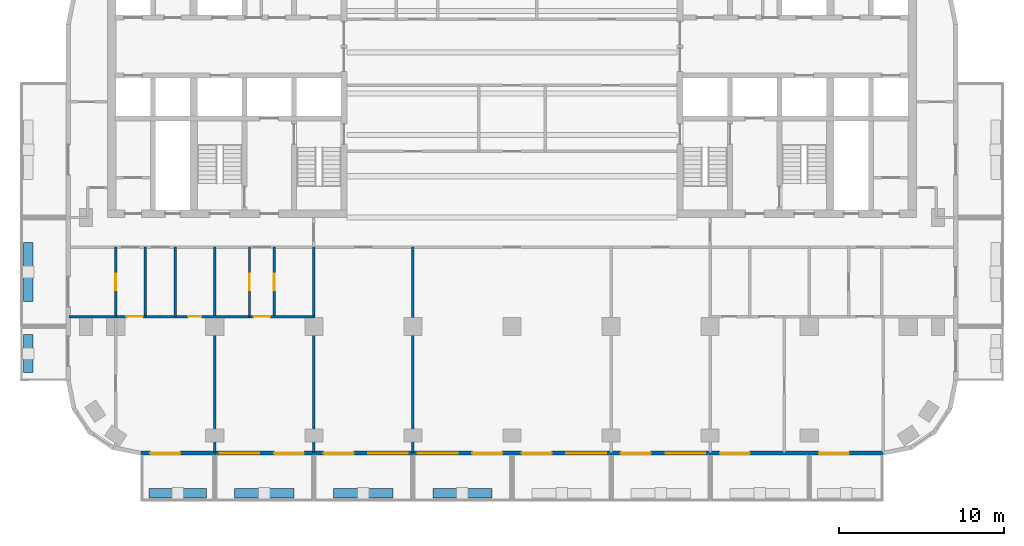
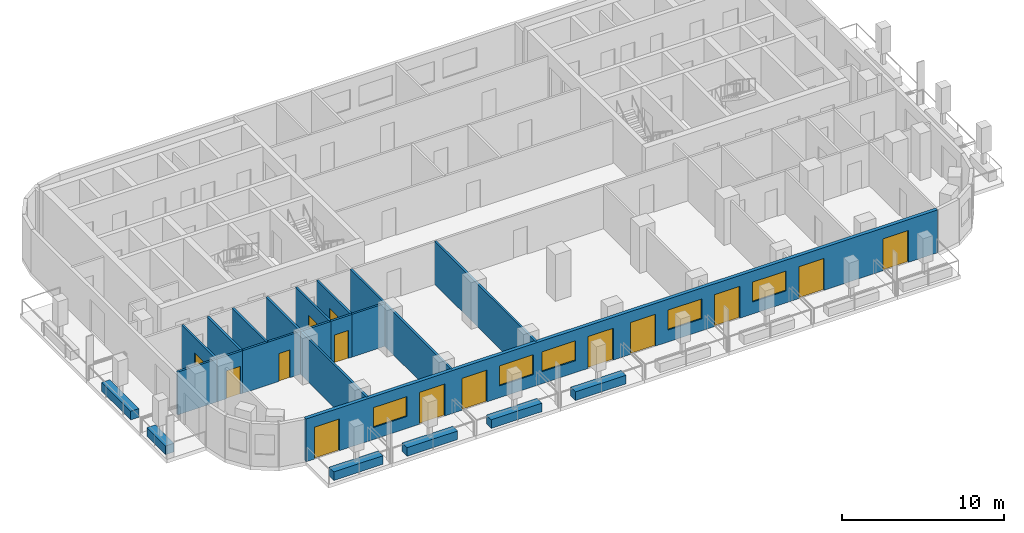
# One storey, part 2 of 11: 20 walls, 14 doors, 5 windows, 19 openings.
"""IFC4 building model written with IfcOpenShell, lengths in metres."""

from ifc_helpers import new_model, si_unit, direction, frame, frame_2d, origin, place, context, subcontext, project, spatial, rectangle, extrude, material, layer, layer_set, type_object, element, fill, save


model = new_model("IFC4")

# Units and contexts
model_context = context("Model", 3, precision=1e-05, world=origin(), true_north=direction((0.0, 1.0)))
body_context = subcontext(model_context, "Body", "Model", "MODEL_VIEW")
ifc_project = project(units=[si_unit("LENGTHUNIT", "METRE"), si_unit("AREAUNIT", "SQUARE_METRE"), si_unit("VOLUMEUNIT", "CUBIC_METRE"), si_unit("PLANEANGLEUNIT", "RADIAN"), si_unit("MASSUNIT", "GRAM", prefix="KILO")], contexts=[model_context])

# Site, building, storey
site_placement = place(None, origin())
site = spatial("IfcSite", under=ifc_project, at=site_placement, CompositionType="ELEMENT")
building_placement = place(site_placement, origin())
building = spatial("IfcBuilding", under=site, at=building_placement, Name="Torana Hotel and Residences", CompositionType="ELEMENT")
storey_placement = place(building_placement, frame((0.0, 0.0, 218.60009765625)))
storey = spatial("IfcBuildingStorey", under=building, at=storey_placement, Name="L57", CompositionType="ELEMENT", Elevation=218.60009765625)

# Wall, openings, doors, windows
ifc_material_1 = material(Name="Black aluminium composite panel", Category="aluminium")
ifc_layer_1 = layer(ifc_material_1, 0.00390625, Name="Cladding", Category="cladding")
ifc_material_2 = material(Name="Ventilated air cavity")
ifc_layer_2 = layer(ifc_material_2, 0.0400390625, Name="Ventilated cavity", Category="cavity")
ifc_material_3 = material(Name="Mineral wool insulation")
ifc_layer_3 = layer(ifc_material_3, 0.090087890625, Name="Insulation", Category="insulation")
ifc_material_4 = material(Name="Steel S280GD", Category="steel")
ifc_layer_4 = layer(ifc_material_4, 0.092041015625, Name="Steel stud frame", Category="structure")
ifc_material_5 = material(Name="Fire rated plasterboard")
ifc_layer_5 = layer(ifc_material_5, 0.011962890625, Name="Inner board", Category="finish")
ifc_layer_6 = layer(ifc_material_5, 0.011962890625, Name="Second board", Category="finish")
ifc_layer_set_1 = layer_set([ifc_layer_1, ifc_layer_2, ifc_layer_3, ifc_layer_4, ifc_layer_5, ifc_layer_6], Name="EW1 EXTERNAL WALL BLACK METAL CLAD 250")
wall_type_1 = type_object("IfcWallType", Name="EW1 EXTERNAL WALL BLACK METAL CLAD 250", PredefinedType="SOLIDWALL", material=ifc_layer_set_1)
wall_1_placement = place(storey_placement, frame((-22.475341796875, -29.27490234375, 0.0), z_axis=(0.0, 0.0, 1.0), x_axis=(1.0, 0.0, 0.0)))
wall_1 = element("IfcWall", 1, at=wall_1_placement, inside=storey, type_object=wall_type_1, Name="External wall L57 e0.14", PredefinedType="SOLIDWALL", context=body_context, shape_type="SweptSolid", body=[
    extrude(rectangle(XDim=44.95068359375, YDim=0.25, at=frame_2d((22.475341796875, 0.0))), origin(), (0.0, 0.0, 1.0), 3.219970703125),
])
opening_1_placement = place(wall_1_placement, frame((0.575439453125, 0.0, 0.0)))
opening_1 = element("IfcOpeningElement", 2, at=opening_1_placement, cuts=wall_1, Name="Opening L57-E01", PredefinedType="OPENING", context=body_context, shape_type="SweptSolid", body=[
    extrude(rectangle(XDim=1.800048828125, YDim=2.39990234375, at=frame_2d((0.89990234375, 1.199951171875))), frame((0.0, 0.135009765625, 0.0), z_axis=(0.0, -1.0, 0.0), x_axis=(1.0, 0.0, 0.0)), (0.0, 0.0, 1.0), 0.27001953125),
])
opening_2_placement = place(wall_1_placement, frame((4.775390625, 0.0, 0.89990234375)))
opening_2 = element("IfcOpeningElement", 3, at=opening_2_placement, cuts=wall_1, Name="Opening W3", PredefinedType="OPENING", context=body_context, shape_type="SweptSolid", body=[
    extrude(rectangle(XDim=2.39990234375, YDim=1.5, at=frame_2d((1.199951171875, 0.75))), frame((0.0, 0.135009765625, 0.0), z_axis=(0.0, -1.0, 0.0), x_axis=(1.0, 0.0, 0.0)), (0.0, 0.0, 1.0), 0.27001953125),
])
opening_3_placement = place(wall_1_placement, frame((8.075439453125, 0.0, 0.0)))
opening_3 = element("IfcOpeningElement", 4, at=opening_3_placement, cuts=wall_1, Name="Opening L57-E02", PredefinedType="OPENING", context=body_context, shape_type="SweptSolid", body=[
    extrude(rectangle(XDim=1.800048828125, YDim=2.39990234375, at=frame_2d((0.89990234375, 1.199951171875))), frame((0.0, 0.135009765625, 0.0), z_axis=(0.0, -1.0, 0.0), x_axis=(1.0, 0.0, 0.0)), (0.0, 0.0, 1.0), 0.27001953125),
])
opening_4_placement = place(wall_1_placement, frame((11.075439453125, 0.0, 0.0)))
opening_4 = element("IfcOpeningElement", 5, at=opening_4_placement, cuts=wall_1, Name="Opening L57-E03", PredefinedType="OPENING", context=body_context, shape_type="SweptSolid", body=[
    extrude(rectangle(XDim=1.800048828125, YDim=2.39990234375, at=frame_2d((0.89990234375, 1.199951171875))), frame((0.0, 0.135009765625, 0.0), z_axis=(0.0, -1.0, 0.0), x_axis=(1.0, 0.0, 0.0)), (0.0, 0.0, 1.0), 0.27001953125),
])
opening_5_placement = place(wall_1_placement, frame((13.775390625, 0.0, 0.89990234375)))
opening_5 = element("IfcOpeningElement", 6, at=opening_5_placement, cuts=wall_1, Name="Opening W3", PredefinedType="OPENING", context=body_context, shape_type="SweptSolid", body=[
    extrude(rectangle(XDim=2.39990234375, YDim=1.5, at=frame_2d((1.199951171875, 0.75))), frame((0.0, 0.135009765625, 0.0), z_axis=(0.0, -1.0, 0.0), x_axis=(1.0, 0.0, 0.0)), (0.0, 0.0, 1.0), 0.27001953125),
])
opening_6_placement = place(wall_1_placement, frame((16.775390625, 0.0, 0.89990234375)))
opening_6 = element("IfcOpeningElement", 7, at=opening_6_placement, cuts=wall_1, Name="Opening W3", PredefinedType="OPENING", context=body_context, shape_type="SweptSolid", body=[
    extrude(rectangle(XDim=2.39990234375, YDim=1.5, at=frame_2d((1.199951171875, 0.75))), frame((0.0, 0.135009765625, 0.0), z_axis=(0.0, -1.0, 0.0), x_axis=(1.0, 0.0, 0.0)), (0.0, 0.0, 1.0), 0.27001953125),
])
opening_7_placement = place(wall_1_placement, frame((20.075439453125, 0.0, 0.0)))
opening_7 = element("IfcOpeningElement", 8, at=opening_7_placement, cuts=wall_1, Name="Opening L57-E04", PredefinedType="OPENING", context=body_context, shape_type="SweptSolid", body=[
    extrude(rectangle(XDim=1.800048828125, YDim=2.39990234375, at=frame_2d((0.89990234375, 1.199951171875))), frame((0.0, 0.135009765625, 0.0), z_axis=(0.0, -1.0, 0.0), x_axis=(1.0, 0.0, 0.0)), (0.0, 0.0, 1.0), 0.27001953125),
])
opening_8_placement = place(wall_1_placement, frame((23.075439453125, 0.0, 0.0)))
opening_8 = element("IfcOpeningElement", 9, at=opening_8_placement, cuts=wall_1, Name="Opening L57-E05", PredefinedType="OPENING", context=body_context, shape_type="SweptSolid", body=[
    extrude(rectangle(XDim=1.800048828125, YDim=2.39990234375, at=frame_2d((0.89990234375, 1.199951171875))), frame((0.0, 0.135009765625, 0.0), z_axis=(0.0, -1.0, 0.0), x_axis=(1.0, 0.0, 0.0)), (0.0, 0.0, 1.0), 0.27001953125),
])
opening_9_placement = place(wall_1_placement, frame((25.775390625, 0.0, 0.89990234375)))
opening_9 = element("IfcOpeningElement", 10, at=opening_9_placement, cuts=wall_1, Name="Opening W3", PredefinedType="OPENING", context=body_context, shape_type="SweptSolid", body=[
    extrude(rectangle(XDim=2.39990234375, YDim=1.5, at=frame_2d((1.199951171875, 0.75))), frame((0.0, 0.135009765625, 0.0), z_axis=(0.0, -1.0, 0.0), x_axis=(1.0, 0.0, 0.0)), (0.0, 0.0, 1.0), 0.27001953125),
])
opening_10_placement = place(wall_1_placement, frame((29.075439453125, 0.0, 0.0)))
opening_10 = element("IfcOpeningElement", 11, at=opening_10_placement, cuts=wall_1, Name="Opening L57-E06", PredefinedType="OPENING", context=body_context, shape_type="SweptSolid", body=[
    extrude(rectangle(XDim=1.800048828125, YDim=2.39990234375, at=frame_2d((0.89990234375, 1.199951171875))), frame((0.0, 0.135009765625, 0.0), z_axis=(0.0, -1.0, 0.0), x_axis=(1.0, 0.0, 0.0)), (0.0, 0.0, 1.0), 0.27001953125),
])
opening_11_placement = place(wall_1_placement, frame((31.775390625, 0.0, 0.89990234375)))
opening_11 = element("IfcOpeningElement", 12, at=opening_11_placement, cuts=wall_1, Name="Opening W3", PredefinedType="OPENING", context=body_context, shape_type="SweptSolid", body=[
    extrude(rectangle(XDim=2.39990234375, YDim=1.5, at=frame_2d((1.199951171875, 0.75))), frame((0.0, 0.135009765625, 0.0), z_axis=(0.0, -1.0, 0.0), x_axis=(1.0, 0.0, 0.0)), (0.0, 0.0, 1.0), 0.27001953125),
])
opening_12_placement = place(wall_1_placement, frame((35.075439453125, 0.0, 0.0)))
opening_12 = element("IfcOpeningElement", 13, at=opening_12_placement, cuts=wall_1, Name="Opening L57-E07", PredefinedType="OPENING", context=body_context, shape_type="SweptSolid", body=[
    extrude(rectangle(XDim=1.800048828125, YDim=2.39990234375, at=frame_2d((0.89990234375, 1.199951171875))), frame((0.0, 0.135009765625, 0.0), z_axis=(0.0, -1.0, 0.0), x_axis=(1.0, 0.0, 0.0)), (0.0, 0.0, 1.0), 0.27001953125),
])
opening_13_placement = place(wall_1_placement, frame((41.075439453125, 0.0, 0.0)))
opening_13 = element("IfcOpeningElement", 14, at=opening_13_placement, cuts=wall_1, Name="Opening L57-E08", PredefinedType="OPENING", context=body_context, shape_type="SweptSolid", body=[
    extrude(rectangle(XDim=1.800048828125, YDim=2.39990234375, at=frame_2d((0.89990234375, 1.199951171875))), frame((0.0, 0.135009765625, 0.0), z_axis=(0.0, -1.0, 0.0), x_axis=(1.0, 0.0, 0.0)), (0.0, 0.0, 1.0), 0.27001953125),
])
ifc_material_6 = material(Name="Dark glass in black aluminium frame", Category="aluminium")
door_type_1 = type_object("IfcDoorType", Name="DB1 BALCONY DOOR 1800x2400", OperationType="DOUBLE_DOOR_SINGLE_SWING", PredefinedType="DOOR", material=ifc_material_6)
door_1_placement = place(opening_1_placement, origin())
door_1 = element("IfcDoor", 15, at=door_1_placement, inside=storey, type_object=door_type_1, Name="Balcony door L57", OperationType="DOUBLE_DOOR_SINGLE_SWING", OverallHeight=2.39990234375, OverallWidth=1.800048828125, PredefinedType="DOOR", context=body_context, shape_type="SweptSolid", body=[
    extrude(rectangle(XDim=1.800048828125, YDim=2.39990234375, at=frame_2d((0.89990234375, 1.199951171875))), frame((0.0, 0.02490234375, 0.0), z_axis=(0.0, -1.0, 0.0), x_axis=(1.0, 0.0, 0.0)), (0.0, 0.0, 1.0), 0.050048828125),
])
fill(opening_1, door_1)
door_2_placement = place(opening_3_placement, origin())
door_2 = element("IfcDoor", 16, at=door_2_placement, inside=storey, type_object=door_type_1, Name="Balcony door L57", OperationType="DOUBLE_DOOR_SINGLE_SWING", OverallHeight=2.39990234375, OverallWidth=1.800048828125, PredefinedType="DOOR", context=body_context, shape_type="SweptSolid", body=[
    extrude(rectangle(XDim=1.800048828125, YDim=2.39990234375, at=frame_2d((0.89990234375, 1.199951171875))), frame((0.0, 0.02490234375, 0.0), z_axis=(0.0, -1.0, 0.0), x_axis=(1.0, 0.0, 0.0)), (0.0, 0.0, 1.0), 0.050048828125),
])
fill(opening_3, door_2)
door_3_placement = place(opening_4_placement, origin())
door_3 = element("IfcDoor", 17, at=door_3_placement, inside=storey, type_object=door_type_1, Name="Balcony door L57", OperationType="DOUBLE_DOOR_SINGLE_SWING", OverallHeight=2.39990234375, OverallWidth=1.800048828125, PredefinedType="DOOR", context=body_context, shape_type="SweptSolid", body=[
    extrude(rectangle(XDim=1.800048828125, YDim=2.39990234375, at=frame_2d((0.89990234375, 1.199951171875))), frame((0.0, 0.02490234375, 0.0), z_axis=(0.0, -1.0, 0.0), x_axis=(1.0, 0.0, 0.0)), (0.0, 0.0, 1.0), 0.050048828125),
])
fill(opening_4, door_3)
door_4_placement = place(opening_7_placement, origin())
door_4 = element("IfcDoor", 18, at=door_4_placement, inside=storey, type_object=door_type_1, Name="Balcony door L57", OperationType="DOUBLE_DOOR_SINGLE_SWING", OverallHeight=2.39990234375, OverallWidth=1.800048828125, PredefinedType="DOOR", context=body_context, shape_type="SweptSolid", body=[
    extrude(rectangle(XDim=1.800048828125, YDim=2.39990234375, at=frame_2d((0.89990234375, 1.199951171875))), frame((0.0, 0.02490234375, 0.0), z_axis=(0.0, -1.0, 0.0), x_axis=(1.0, 0.0, 0.0)), (0.0, 0.0, 1.0), 0.050048828125),
])
fill(opening_7, door_4)
door_5_placement = place(opening_8_placement, origin())
door_5 = element("IfcDoor", 19, at=door_5_placement, inside=storey, type_object=door_type_1, Name="Balcony door L57", OperationType="DOUBLE_DOOR_SINGLE_SWING", OverallHeight=2.39990234375, OverallWidth=1.800048828125, PredefinedType="DOOR", context=body_context, shape_type="SweptSolid", body=[
    extrude(rectangle(XDim=1.800048828125, YDim=2.39990234375, at=frame_2d((0.89990234375, 1.199951171875))), frame((0.0, 0.02490234375, 0.0), z_axis=(0.0, -1.0, 0.0), x_axis=(1.0, 0.0, 0.0)), (0.0, 0.0, 1.0), 0.050048828125),
])
fill(opening_8, door_5)
door_6_placement = place(opening_10_placement, origin())
door_6 = element("IfcDoor", 20, at=door_6_placement, inside=storey, type_object=door_type_1, Name="Balcony door L57", OperationType="DOUBLE_DOOR_SINGLE_SWING", OverallHeight=2.39990234375, OverallWidth=1.800048828125, PredefinedType="DOOR", context=body_context, shape_type="SweptSolid", body=[
    extrude(rectangle(XDim=1.800048828125, YDim=2.39990234375, at=frame_2d((0.89990234375, 1.199951171875))), frame((0.0, 0.02490234375, 0.0), z_axis=(0.0, -1.0, 0.0), x_axis=(1.0, 0.0, 0.0)), (0.0, 0.0, 1.0), 0.050048828125),
])
fill(opening_10, door_6)
door_7_placement = place(opening_12_placement, origin())
door_7 = element("IfcDoor", 21, at=door_7_placement, inside=storey, type_object=door_type_1, Name="Balcony door L57", OperationType="DOUBLE_DOOR_SINGLE_SWING", OverallHeight=2.39990234375, OverallWidth=1.800048828125, PredefinedType="DOOR", context=body_context, shape_type="SweptSolid", body=[
    extrude(rectangle(XDim=1.800048828125, YDim=2.39990234375, at=frame_2d((0.89990234375, 1.199951171875))), frame((0.0, 0.02490234375, 0.0), z_axis=(0.0, -1.0, 0.0), x_axis=(1.0, 0.0, 0.0)), (0.0, 0.0, 1.0), 0.050048828125),
])
fill(opening_12, door_7)
door_8_placement = place(opening_13_placement, origin())
door_8 = element("IfcDoor", 22, at=door_8_placement, inside=storey, type_object=door_type_1, Name="Balcony door L57", OperationType="DOUBLE_DOOR_SINGLE_SWING", OverallHeight=2.39990234375, OverallWidth=1.800048828125, PredefinedType="DOOR", context=body_context, shape_type="SweptSolid", body=[
    extrude(rectangle(XDim=1.800048828125, YDim=2.39990234375, at=frame_2d((0.89990234375, 1.199951171875))), frame((0.0, 0.02490234375, 0.0), z_axis=(0.0, -1.0, 0.0), x_axis=(1.0, 0.0, 0.0)), (0.0, 0.0, 1.0), 0.050048828125),
])
fill(opening_13, door_8)
ifc_material_7 = material(Name="Dark glass in black aluminium frame", Category="aluminium")
window_type = type_object("IfcWindowType", Name="W3 RESIDENCE WINDOW 2400x1500", PartitioningType="SINGLE_PANEL", PredefinedType="WINDOW", material=ifc_material_7)
window_1_placement = place(opening_2_placement, origin())
window_1 = element("IfcWindow", 23, at=window_1_placement, inside=storey, type_object=window_type, Name="Window L57", OverallHeight=1.5, OverallWidth=2.39990234375, PartitioningType="SINGLE_PANEL", PredefinedType="WINDOW", context=body_context, shape_type="SweptSolid", body=[
    extrude(rectangle(XDim=2.39990234375, YDim=1.5, at=frame_2d((1.199951171875, 0.75))), frame((0.0, 0.030029296875, 0.0), z_axis=(0.0, -1.0, 0.0), x_axis=(1.0, 0.0, 0.0)), (0.0, 0.0, 1.0), 0.06005859375),
])
fill(opening_2, window_1)
window_2_placement = place(opening_5_placement, origin())
window_2 = element("IfcWindow", 24, at=window_2_placement, inside=storey, type_object=window_type, Name="Window L57", OverallHeight=1.5, OverallWidth=2.39990234375, PartitioningType="SINGLE_PANEL", PredefinedType="WINDOW", context=body_context, shape_type="SweptSolid", body=[
    extrude(rectangle(XDim=2.39990234375, YDim=1.5, at=frame_2d((1.199951171875, 0.75))), frame((0.0, 0.030029296875, 0.0), z_axis=(0.0, -1.0, 0.0), x_axis=(1.0, 0.0, 0.0)), (0.0, 0.0, 1.0), 0.06005859375),
])
fill(opening_5, window_2)
window_3_placement = place(opening_6_placement, origin())
window_3 = element("IfcWindow", 25, at=window_3_placement, inside=storey, type_object=window_type, Name="Window L57", OverallHeight=1.5, OverallWidth=2.39990234375, PartitioningType="SINGLE_PANEL", PredefinedType="WINDOW", context=body_context, shape_type="SweptSolid", body=[
    extrude(rectangle(XDim=2.39990234375, YDim=1.5, at=frame_2d((1.199951171875, 0.75))), frame((0.0, 0.030029296875, 0.0), z_axis=(0.0, -1.0, 0.0), x_axis=(1.0, 0.0, 0.0)), (0.0, 0.0, 1.0), 0.06005859375),
])
fill(opening_6, window_3)
window_4_placement = place(opening_9_placement, origin())
window_4 = element("IfcWindow", 26, at=window_4_placement, inside=storey, type_object=window_type, Name="Window L57", OverallHeight=1.5, OverallWidth=2.39990234375, PartitioningType="SINGLE_PANEL", PredefinedType="WINDOW", context=body_context, shape_type="SweptSolid", body=[
    extrude(rectangle(XDim=2.39990234375, YDim=1.5, at=frame_2d((1.199951171875, 0.75))), frame((0.0, 0.030029296875, 0.0), z_axis=(0.0, -1.0, 0.0), x_axis=(1.0, 0.0, 0.0)), (0.0, 0.0, 1.0), 0.06005859375),
])
fill(opening_9, window_4)
window_5_placement = place(opening_11_placement, origin())
window_5 = element("IfcWindow", 27, at=window_5_placement, inside=storey, type_object=window_type, Name="Window L57", OverallHeight=1.5, OverallWidth=2.39990234375, PartitioningType="SINGLE_PANEL", PredefinedType="WINDOW", context=body_context, shape_type="SweptSolid", body=[
    extrude(rectangle(XDim=2.39990234375, YDim=1.5, at=frame_2d((1.199951171875, 0.75))), frame((0.0, 0.030029296875, 0.0), z_axis=(0.0, -1.0, 0.0), x_axis=(1.0, 0.0, 0.0)), (0.0, 0.0, 1.0), 0.06005859375),
])
fill(opening_11, window_5)

# Wall, opening, door
ifc_material_8 = material(Name="Gypsum plaster")
ifc_layer_7 = layer(ifc_material_8, 0.014892578125, Name="Plaster", Category="finish")
ifc_material_9 = material(Name="Concrete blockwork", Category="masonry")
ifc_layer_8 = layer(ifc_material_9, 0.1201171875, Name="Blockwork", Category="structure")
ifc_layer_9 = layer(ifc_material_8, 0.014892578125, Name="Plaster", Category="finish")
ifc_layer_set_2 = layer_set([ifc_layer_7, ifc_layer_8, ifc_layer_9], Name="FIRE PARTITION 150 BLOCKWORK")
wall_type_2 = type_object("IfcWallType", Name="FIRE PARTITION 150 BLOCKWORK", PredefinedType="PARTITIONING", material=ifc_layer_set_2)
wall_2_placement = place(storey_placement, frame((-14.39990234375, -21.0, 0.0), z_axis=(0.0, 0.0, 1.0), x_axis=(0.0, 1.0, 0.0)))
wall_2 = element("IfcWall", 28, at=wall_2_placement, inside=storey, type_object=wall_type_2, Name="Partition L57", PredefinedType="PARTITIONING", context=body_context, shape_type="SweptSolid", body=[
    extrude(rectangle(XDim=4.199951171875, YDim=0.14990234375, at=frame_2d((2.10009765625, 0.0))), origin(), (0.0, 0.0, 1.0), 3.219970703125),
])
opening_14_placement = place(wall_2_placement, frame((1.60009765625, 0.0, 0.0)))
opening_14 = element("IfcOpeningElement", 29, at=opening_14_placement, cuts=wall_2, Name="Opening L57-52", PredefinedType="OPENING", context=body_context, shape_type="SweptSolid", body=[
    extrude(rectangle(XDim=1.0, YDim=2.10009765625, at=frame_2d((0.5, 1.050048828125))), frame((0.0, 0.0849609375, 0.0), z_axis=(0.0, -1.0, 0.0), x_axis=(1.0, 0.0, 0.0)), (0.0, 0.0, 1.0), 0.169921875),
])
ifc_material_10 = material(Name="Steel S235", Category="steel")
door_type_2 = type_object("IfcDoorType", Name="ENTRY FIRE DOOR D6 1000x2100", OperationType="SINGLE_SWING_LEFT", PredefinedType="DOOR", material=ifc_material_10)
door_9_placement = place(opening_14_placement, frame((0.5, 0.0, 0.0), z_axis=(0.0, 0.0, 1.0), x_axis=(-1.0, 0.0, 0.0)))
door_9 = element("IfcDoor", 30, at=door_9_placement, inside=storey, type_object=door_type_2, Name="Door L57", OperationType="SINGLE_SWING_LEFT", OverallHeight=2.10009765625, OverallWidth=1.0, PredefinedType="DOOR", context=body_context, shape_type="SweptSolid", body=[
    extrude(rectangle(XDim=1.0, YDim=2.10009765625, at=frame_2d((0.0, 1.050048828125))), frame((0.0, -0.02490234375, 0.0), z_axis=(0.0, 1.0, 0.0), x_axis=(-1.0, 0.0, 0.0)), (0.0, 0.0, 1.0), 0.050048828125),
])
fill(opening_14, door_9)

wall_3_placement = place(storey_placement, frame((-15.89990234375, -21.0, 0.0), z_axis=(0.0, 0.0, 1.0), x_axis=(0.0, 1.0, 0.0)))
wall_3 = element("IfcWall", 31, at=wall_3_placement, inside=storey, type_object=wall_type_2, Name="Partition L57", PredefinedType="PARTITIONING", context=body_context, shape_type="SweptSolid", body=[
    extrude(rectangle(XDim=4.199951171875, YDim=0.14990234375, at=frame_2d((2.10009765625, 0.0))), origin(), (0.0, 0.0, 1.0), 3.219970703125),
])
opening_15_placement = place(wall_3_placement, frame((1.60009765625, 0.0, 0.0)))
opening_15 = element("IfcOpeningElement", 32, at=opening_15_placement, cuts=wall_3, Name="Opening L57-51", PredefinedType="OPENING", context=body_context, shape_type="SweptSolid", body=[
    extrude(rectangle(XDim=1.0, YDim=2.10009765625, at=frame_2d((0.5, 1.050048828125))), frame((0.0, 0.0849609375, 0.0), z_axis=(0.0, -1.0, 0.0), x_axis=(1.0, 0.0, 0.0)), (0.0, 0.0, 1.0), 0.169921875),
])
door_10_placement = place(opening_15_placement, origin())
door_10 = element("IfcDoor", 33, at=door_10_placement, inside=storey, type_object=door_type_2, Name="Door L57", OperationType="SINGLE_SWING_RIGHT", OverallHeight=2.10009765625, OverallWidth=1.0, PredefinedType="DOOR", context=body_context, shape_type="SweptSolid", body=[
    extrude(rectangle(XDim=1.0, YDim=2.10009765625, at=frame_2d((0.5, 1.050048828125))), frame((0.0, 0.02490234375, 0.0), z_axis=(0.0, -1.0, 0.0), x_axis=(1.0, 0.0, 0.0)), (0.0, 0.0, 1.0), 0.050048828125),
])
fill(opening_15, door_10)

# Wall
wall_4_placement = place(storey_placement, frame((-22.199951171875, -21.0, 0.0), z_axis=(0.0, 0.0, 1.0), x_axis=(0.0, 1.0, 0.0)))
element("IfcWall", 34, at=wall_4_placement, inside=storey, type_object=wall_type_2, Name="Partition L57", PredefinedType="PARTITIONING", context=body_context, shape_type="SweptSolid", body=[
    extrude(rectangle(XDim=4.199951171875, YDim=0.14990234375, at=frame_2d((2.10009765625, 0.0))), origin(), (0.0, 0.0, 1.0), 3.219970703125),
])

# Wall, opening, door
wall_5_placement = place(storey_placement, frame((-24.0, -21.0, 0.0), z_axis=(0.0, 0.0, 1.0), x_axis=(0.0, 1.0, 0.0)))
wall_5 = element("IfcWall", 35, at=wall_5_placement, inside=storey, type_object=wall_type_2, Name="Partition L57", PredefinedType="PARTITIONING", context=body_context, shape_type="SweptSolid", body=[
    extrude(rectangle(XDim=4.199951171875, YDim=0.14990234375, at=frame_2d((2.10009765625, 0.0))), origin(), (0.0, 0.0, 1.0), 3.219970703125),
])
opening_16_placement = place(wall_5_placement, frame((1.580078125, 0.0, 0.0)))
opening_16 = element("IfcOpeningElement", 36, at=opening_16_placement, cuts=wall_5, Name="Opening L57-55", PredefinedType="OPENING", context=body_context, shape_type="SweptSolid", body=[
    extrude(rectangle(XDim=1.0, YDim=2.10009765625, at=frame_2d((0.5, 1.050048828125))), frame((0.0, 0.0849609375, 0.0), z_axis=(0.0, -1.0, 0.0), x_axis=(1.0, 0.0, 0.0)), (0.0, 0.0, 1.0), 0.169921875),
])
door_11_placement = place(opening_16_placement, origin())
door_11 = element("IfcDoor", 37, at=door_11_placement, inside=storey, type_object=door_type_2, Name="Door L57", OperationType="SINGLE_SWING_RIGHT", OverallHeight=2.10009765625, OverallWidth=1.0, PredefinedType="DOOR", context=body_context, shape_type="SweptSolid", body=[
    extrude(rectangle(XDim=1.0, YDim=2.10009765625, at=frame_2d((0.5, 1.050048828125))), frame((0.0, 0.02490234375, 0.0), z_axis=(0.0, -1.0, 0.0), x_axis=(1.0, 0.0, 0.0)), (0.0, 0.0, 1.0), 0.050048828125),
])
fill(opening_16, door_11)

wall_6_placement = place(storey_placement, frame((-24.0, -21.0, 0.0), z_axis=(0.0, 0.0, 1.0), x_axis=(1.0, 0.0, 0.0)))
wall_6 = element("IfcWall", 38, at=wall_6_placement, inside=storey, type_object=wall_type_2, Name="Partition L57", PredefinedType="PARTITIONING", context=body_context, shape_type="SweptSolid", body=[
    extrude(rectangle(XDim=1.800048828125, YDim=0.14990234375, at=frame_2d((0.89990234375, 0.0))), origin(), (0.0, 0.0, 1.0), 3.219970703125),
])
opening_17_placement = place(wall_6_placement, frame((0.64990234375, 0.0, 0.0)))
opening_17 = element("IfcOpeningElement", 39, at=opening_17_placement, cuts=wall_6, Name="Opening L57-56", PredefinedType="OPENING", context=body_context, shape_type="SweptSolid", body=[
    extrude(rectangle(XDim=1.0, YDim=2.10009765625, at=frame_2d((0.5, 1.050048828125))), frame((0.0, 0.0849609375, 0.0), z_axis=(0.0, -1.0, 0.0), x_axis=(1.0, 0.0, 0.0)), (0.0, 0.0, 1.0), 0.169921875),
])
door_12_placement = place(opening_17_placement, frame((0.5, 0.0, 0.0), z_axis=(0.0, 0.0, 1.0), x_axis=(-1.0, 0.0, 0.0)))
door_12 = element("IfcDoor", 40, at=door_12_placement, inside=storey, type_object=door_type_2, Name="Door L57", OperationType="SINGLE_SWING_LEFT", OverallHeight=2.10009765625, OverallWidth=1.0, PredefinedType="DOOR", context=body_context, shape_type="SweptSolid", body=[
    extrude(rectangle(XDim=1.0, YDim=2.10009765625, at=frame_2d((0.0, 1.050048828125))), frame((0.0, -0.02490234375, 0.0), z_axis=(0.0, 1.0, 0.0), x_axis=(-1.0, 0.0, 0.0)), (0.0, 0.0, 1.0), 0.050048828125),
])
fill(opening_17, door_12)

wall_7_placement = place(storey_placement, frame((-15.89990234375, -21.0, 0.0), z_axis=(0.0, 0.0, 1.0), x_axis=(1.0, 0.0, 0.0)))
wall_7 = element("IfcWall", 41, at=wall_7_placement, inside=storey, type_object=wall_type_2, Name="Partition L57", PredefinedType="PARTITIONING", context=body_context, shape_type="SweptSolid", body=[
    extrude(rectangle(XDim=1.5, YDim=0.14990234375, at=frame_2d((0.75, 0.0))), origin(), (0.0, 0.0, 1.0), 3.219970703125),
])
opening_18_placement = place(wall_7_placement, frame((0.25, 0.0, 0.0)))
opening_18 = element("IfcOpeningElement", 42, at=opening_18_placement, cuts=wall_7, Name="Opening L57-53", PredefinedType="OPENING", context=body_context, shape_type="SweptSolid", body=[
    extrude(rectangle(XDim=1.0, YDim=2.10009765625, at=frame_2d((0.5, 1.050048828125))), frame((0.0, 0.0849609375, 0.0), z_axis=(0.0, -1.0, 0.0), x_axis=(1.0, 0.0, 0.0)), (0.0, 0.0, 1.0), 0.169921875),
])
door_13_placement = place(opening_18_placement, frame((0.5, 0.0, 0.0), z_axis=(0.0, 0.0, 1.0), x_axis=(-1.0, 0.0, 0.0)))
door_13 = element("IfcDoor", 43, at=door_13_placement, inside=storey, type_object=door_type_2, Name="Door L57", OperationType="SINGLE_SWING_LEFT", OverallHeight=2.10009765625, OverallWidth=1.0, PredefinedType="DOOR", context=body_context, shape_type="SweptSolid", body=[
    extrude(rectangle(XDim=1.0, YDim=2.10009765625, at=frame_2d((0.0, 1.050048828125))), frame((0.0, -0.02490234375, 0.0), z_axis=(0.0, 1.0, 0.0), x_axis=(-1.0, 0.0, 0.0)), (0.0, 0.0, 1.0), 0.050048828125),
])
fill(opening_18, door_13)

# Walls
ifc_material_11 = material(Name="Gypsum plasterboard")
ifc_layer_10 = layer(ifc_material_11, 0.012451171875, Name="Plasterboard", Category="finish")
ifc_layer_11 = layer(ifc_material_11, 0.012451171875, Name="Plasterboard", Category="finish")
ifc_layer_12 = layer(ifc_material_4, 0.10009765625, Name="Steel studs with mineral wool", Category="insulation")
ifc_layer_13 = layer(ifc_material_11, 0.012451171875, Name="Plasterboard", Category="finish")
ifc_layer_14 = layer(ifc_material_11, 0.012451171875, Name="Plasterboard", Category="finish")
ifc_layer_set_3 = layer_set([ifc_layer_10, ifc_layer_11, ifc_layer_12, ifc_layer_13, ifc_layer_14], Name="PARTITION 150 PLASTERBOARD")
wall_type_3 = type_object("IfcWallType", Name="PARTITION 150 PLASTERBOARD", PredefinedType="PARTITIONING", material=ifc_layer_set_3)
for number, where, z_axis, x_axis, name in (
    (44, (-6.0, -29.219970703125, 0.0), (0.0, 0.0, 1.0), (0.0, 1.0, 0.0), "Partition L57"),
    (45, (-12.0, -29.219970703125, 0.0), (0.0, 0.0, 1.0), (0.0, 1.0, 0.0), "Partition L57"),
    (46, (-18.0, -29.219970703125, 0.0), (0.0, 0.0, 1.0), (0.0, 1.0, 0.0), "Partition L57"),
):
    element("IfcWall", number, at=place(storey_placement, frame(where, z_axis=z_axis, x_axis=x_axis)), inside=storey, type_object=wall_type_3, Name=name, PredefinedType="PARTITIONING", context=body_context, shape_type="SweptSolid", body=[
        extrude(rectangle(XDim=12.419921875, YDim=0.14990234375, at=frame_2d((6.2099609375, 0.0))), origin(), (0.0, 0.0, 1.0), 3.219970703125),
    ])
wall_8_placement = place(storey_placement, frame((-20.39990234375, -21.0, 0.0), z_axis=(0.0, 0.0, 1.0), x_axis=(0.0, 1.0, 0.0)))
element("IfcWall", 47, at=wall_8_placement, inside=storey, type_object=wall_type_3, Name="Partition L57", PredefinedType="PARTITIONING", context=body_context, shape_type="SweptSolid", body=[
    extrude(rectangle(XDim=4.199951171875, YDim=0.14990234375, at=frame_2d((2.10009765625, 0.0))), origin(), (0.0, 0.0, 1.0), 3.219970703125),
])
wall_9_placement = place(storey_placement, frame((-26.820068359375, -21.0, 0.0), z_axis=(0.0, 0.0, 1.0), x_axis=(1.0, 0.0, 0.0)))
element("IfcWall", 48, at=wall_9_placement, inside=storey, type_object=wall_type_3, Name="Partition L57", PredefinedType="PARTITIONING", context=body_context, shape_type="SweptSolid", body=[
    extrude(rectangle(XDim=2.820068359375, YDim=0.14990234375, at=frame_2d((1.41015625, 0.0))), origin(), (0.0, 0.0, 1.0), 3.219970703125),
])

# Wall, opening, door
wall_10_placement = place(storey_placement, frame((-22.199951171875, -21.0, 0.0), z_axis=(0.0, 0.0, 1.0), x_axis=(1.0, 0.0, 0.0)))
wall_10 = element("IfcWall", 49, at=wall_10_placement, inside=storey, type_object=wall_type_3, Name="Partition L57", PredefinedType="PARTITIONING", context=body_context, shape_type="SweptSolid", body=[
    extrude(rectangle(XDim=6.300048828125, YDim=0.14990234375, at=frame_2d((3.14990234375, 0.0))), origin(), (0.0, 0.0, 1.0), 3.219970703125),
])
opening_19_placement = place(wall_10_placement, frame((2.580078125, 0.0, 0.0)))
opening_19 = element("IfcOpeningElement", 50, at=opening_19_placement, cuts=wall_10, Name="Opening L57-54", PredefinedType="OPENING", context=body_context, shape_type="SweptSolid", body=[
    extrude(rectangle(XDim=0.800048828125, YDim=2.10009765625, at=frame_2d((0.39990234375, 1.050048828125))), frame((0.0, 0.0849609375, 0.0), z_axis=(0.0, -1.0, 0.0), x_axis=(1.0, 0.0, 0.0)), (0.0, 0.0, 1.0), 0.169921875),
])
ifc_material_12 = material(Name="Timber door, painted", Category="wood")
door_type_3 = type_object("IfcDoorType", Name="BATH DOOR D13 800x2100", OperationType="SINGLE_SWING_LEFT", PredefinedType="DOOR", material=ifc_material_12)
door_14_placement = place(opening_19_placement, origin())
door_14 = element("IfcDoor", 51, at=door_14_placement, inside=storey, type_object=door_type_3, Name="Door L57", OperationType="SINGLE_SWING_RIGHT", OverallHeight=2.10009765625, OverallWidth=0.800048828125, PredefinedType="DOOR", context=body_context, shape_type="SweptSolid", body=[
    extrude(rectangle(XDim=0.800048828125, YDim=2.10009765625, at=frame_2d((0.39990234375, 1.050048828125))), frame((0.0, 0.02490234375, 0.0), z_axis=(0.0, -1.0, 0.0), x_axis=(1.0, 0.0, 0.0)), (0.0, 0.0, 1.0), 0.050048828125),
])
fill(opening_19, door_14)

# Walls
wall_11_placement = place(storey_placement, frame((-14.39990234375, -21.0, 0.0), z_axis=(0.0, 0.0, 1.0), x_axis=(1.0, 0.0, 0.0)))
element("IfcWall", 52, at=wall_11_placement, inside=storey, type_object=wall_type_3, Name="Partition L57", PredefinedType="PARTITIONING", context=body_context, shape_type="SweptSolid", body=[
    extrude(rectangle(XDim=2.39990234375, YDim=0.14990234375, at=frame_2d((1.199951171875, 0.0))), origin(), (0.0, 0.0, 1.0), 3.219970703125),
])
ifc_material_13 = material(Name="Concrete C40/50 precast", Category="concrete")
ifc_layer_15 = layer(ifc_material_13, 0.10009765625, Name="Planter shell", Category="structure")
ifc_material_14 = material(Name="Root resistant membrane")
ifc_layer_16 = layer(ifc_material_14, 0.00390625, Name="Waterproofing membrane", Category="membrane")
ifc_material_15 = material(Name="Drainage board with filter fleece")
ifc_layer_17 = layer(ifc_material_15, 0.02001953125, Name="Drainage board", Category="drainage")
ifc_material_16 = material(Name="Growing medium")
ifc_layer_18 = layer(ifc_material_16, 0.47607421875, Name="Planting substrate", Category="soil")
ifc_layer_set_4 = layer_set([ifc_layer_15, ifc_layer_16, ifc_layer_17, ifc_layer_18], Name="PL1 BALCONY PLANTER 600")
wall_type_4 = type_object("IfcWallType", Name="PL1 BALCONY PLANTER 600", PredefinedType="USERDEFINED", material=ifc_layer_set_4)
wall_12_placement = place(storey_placement, frame((-18.5, -31.699951171875, 0.0), z_axis=(0.0, 0.0, 1.0), x_axis=(-1.0, 0.0, 0.0)))
element("IfcWall", 53, at=wall_12_placement, inside=storey, type_object=wall_type_4, Name="Planter 01", ObjectType="PLANTER", PredefinedType="USERDEFINED", context=body_context, shape_type="SweptSolid", body=[
    extrude(rectangle(XDim=3.5, YDim=0.60009765625, at=frame_2d((1.75, 0.0))), origin(), (0.0, 0.0, 1.0), 0.64990234375),
])
for number, where, z_axis, x_axis, name in (
    (54, (-13.199951171875, -31.699951171875, 0.0), (0.0, 0.0, 1.0), (-1.0, 0.0, 0.0), "Planter 02"),
    (55, (-7.199951171875, -31.699951171875, 0.0), (0.0, 0.0, 1.0), (-1.0, 0.0, 0.0), "Planter 03"),
    (56, (-1.199951171875, -31.699951171875, 0.0), (0.0, 0.0, 1.0), (-1.0, 0.0, 0.0), "Planter 04"),
):
    element("IfcWall", number, at=place(storey_placement, frame(where, z_axis=z_axis, x_axis=x_axis)), inside=storey, type_object=wall_type_4, Name=name, ObjectType="PLANTER", PredefinedType="USERDEFINED", context=body_context, shape_type="SweptSolid", body=[
        extrude(rectangle(XDim=3.60009765625, YDim=0.60009765625, at=frame_2d((1.800048828125, 0.0))), origin(), (0.0, 0.0, 1.0), 0.64990234375),
    ])
wall_13_placement = place(storey_placement, frame((-29.300048828125, -24.39990234375, 0.0), z_axis=(0.0, 0.0, 1.0), x_axis=(0.0, 1.0, 0.0)))
element("IfcWall", 57, at=wall_13_placement, inside=storey, type_object=wall_type_4, Name="Planter 09", ObjectType="PLANTER", PredefinedType="USERDEFINED", context=body_context, shape_type="SweptSolid", body=[
    extrude(rectangle(XDim=2.2998046875, YDim=0.60009765625, at=frame_2d((1.14990234375, 0.0))), origin(), (0.0, 0.0, 1.0), 0.64990234375),
])
wall_14_placement = place(storey_placement, frame((-29.300048828125, -20.10009765625, 0.0), z_axis=(0.0, 0.0, 1.0), x_axis=(0.0, 1.0, 0.0)))
element("IfcWall", 58, at=wall_14_placement, inside=storey, type_object=wall_type_4, Name="Planter 10", ObjectType="PLANTER", PredefinedType="USERDEFINED", context=body_context, shape_type="SweptSolid", body=[
    extrude(rectangle(XDim=3.60009765625, YDim=0.60009765625, at=frame_2d((1.800048828125, 0.0))), origin(), (0.0, 0.0, 1.0), 0.64990234375),
])

save(model, "model.ifc")
